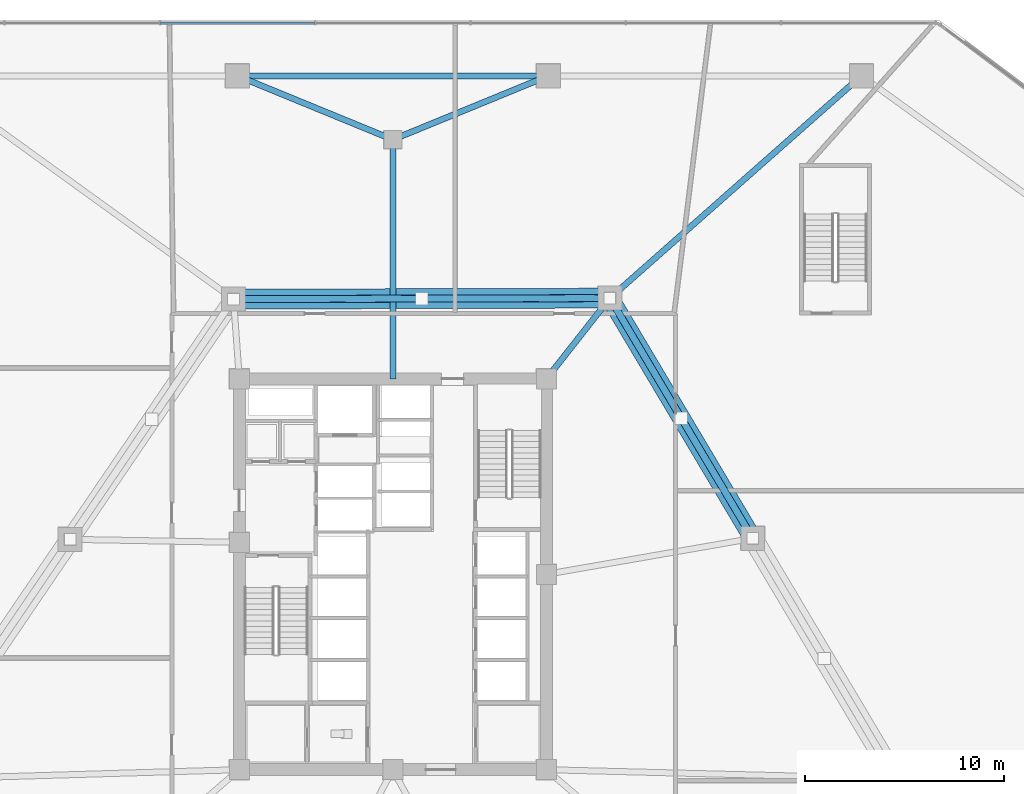
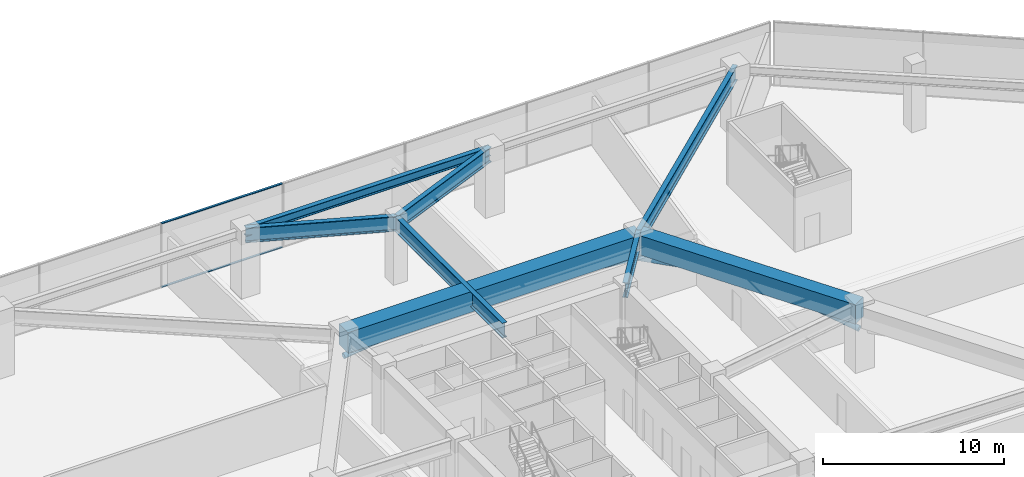
# One storey, part 9 of 23: 8 beams, 6 members, 1 element without a shape of its own.
"""IFC4 building model written with IfcOpenShell, lengths in metres."""

import ifcopenshell
import ifcopenshell.guid

model = None  # the IFC model being written
_history = None  # IfcOwnerHistory: only IFC2X3 demands one
_inside = {}  # id of a spatial element -> (the spatial element, [elements in it])
_under = {}  # id of a project, library or spatial element -> (it, [spatial elements below it])
_declared = {}  # id of a project -> (the project, [libraries it declares])
_typed = {}  # id of a type object -> (the type object, [elements of that type])
_made_of = {}  # id of a material, layer set ... -> (it, [elements and type objects made of it])


def new_model(schema):
    """Start an empty IFC model of exactly this schema.

    Asked for "IFC4X3", IfcOpenShell would pick the latest addendum, in which some entities
    have other attributes; the version numbers below select the first issue.
    IFC2X3 requires an IfcOwnerHistory on every rooted entity: one is made here for all.
    """
    global model, _history
    if schema == "IFC4X3":
        model = ifcopenshell.file(schema_version=(4, 3, 0, 0))
    else:
        model = ifcopenshell.file(schema=schema)
    _inside.clear()
    _under.clear()
    _declared.clear()
    _typed.clear()
    _made_of.clear()
    _history = None
    if model.schema == "IFC2X3":
        org = make("IfcOrganization", Name="unknown")
        user = make(
            "IfcPersonAndOrganization",
            ThePerson=make("IfcPerson", FamilyName="unknown"),
            TheOrganization=org,
        )
        app = make(
            "IfcApplication",
            ApplicationDeveloper=org,
            Version="unknown",
            ApplicationFullName="unknown",
            ApplicationIdentifier="unknown",
        )
        _history = make(
            "IfcOwnerHistory",
            OwningUser=user,
            OwningApplication=app,
            ChangeAction="ADDED",
            CreationDate=0,
        )
    return model


def make(cls, **values):
    """One entity of the class cls with the attributes given. An attribute that is None is left unset."""
    return model.create_entity(
        cls, **{name: value for name, value in values.items() if value is not None}
    )


def rooted(cls, **values):
    """An entity with a GlobalId (a new one), such as an element, a storey or a relation."""
    return make(cls, GlobalId=ifcopenshell.guid.new(), OwnerHistory=_history, **values)


def si_unit(unit_type, name, prefix=None):
    """IfcSIUnit, for example si_unit("LENGTHUNIT", "METRE", prefix="MILLI")."""
    return make("IfcSIUnit", UnitType=unit_type, Prefix=prefix, Name=name)


def assignment(units):
    """IfcUnitAssignment: the units of a project."""
    return None if units is None else make("IfcUnitAssignment", Units=units)


def point(xyz):
    """IfcCartesianPoint."""
    return None if xyz is None else make("IfcCartesianPoint", Coordinates=xyz)


def direction(xyz):
    """IfcDirection."""
    return None if xyz is None else make("IfcDirection", DirectionRatios=xyz)


def frame(location, z_axis=None, x_axis=None):
    """IfcAxis2Placement3D, a coordinate frame: its origin and axes. An axis left out is left unset."""
    return make(
        "IfcAxis2Placement3D",
        Location=point(location),
        Axis=direction(z_axis),
        RefDirection=direction(x_axis),
    )


def frame_2d(location, x_axis=None):
    """IfcAxis2Placement2D, a coordinate frame in the plane: its origin and x axis."""
    return make(
        "IfcAxis2Placement2D", Location=point(location), RefDirection=direction(x_axis)
    )


def origin():
    """The frame at (0, 0, 0) with its axes left unset."""
    return frame((0.0, 0.0, 0.0))


def origin_2d():
    """The frame at (0, 0) in the plane with its x axis left unset."""
    return frame_2d((0.0, 0.0))


def place(relative_to, where):
    """IfcLocalPlacement: puts the frame where relative to a parent placement (None: the world)."""
    return make(
        "IfcLocalPlacement", PlacementRelTo=relative_to, RelativePlacement=where
    )


def context(
    kind, dimensions, precision=None, world=None, true_north=None, identifier=None
):
    """IfcGeometricRepresentationContext, for example the 3D "Model" context."""
    return make(
        "IfcGeometricRepresentationContext",
        ContextIdentifier=identifier,
        ContextType=kind,
        CoordinateSpaceDimension=dimensions,
        Precision=precision,
        WorldCoordinateSystem=world,
        TrueNorth=true_north,
    )


def subcontext(parent, identifier, kind, view, scale=None):
    """IfcGeometricRepresentationSubContext, for example "Body" below "Model"."""
    return make(
        "IfcGeometricRepresentationSubContext",
        ContextIdentifier=identifier,
        ContextType=kind,
        ParentContext=parent,
        TargetScale=scale,
        TargetView=view,
    )


def project(units=None, contexts=None):
    """IfcProject with its units and contexts."""
    return rooted(
        "IfcProject",
        Name="project",
        RepresentationContexts=contexts,
        UnitsInContext=assignment(units),
    )


def spatial(cls, under=None, at=None, **own):
    """A site, building, storey or space (cls), placed at a placement, below another one or the project."""
    s = rooted(cls, ObjectPlacement=at, **own)
    if under is not None:
        _under.setdefault(under.id(), (under, []))[1].append(s)
    return s


def profile(cls, at=None, kind="AREA", **sizes):
    """A parametric profile (cls). Its sizes go by their IFC names, for example OverallWidth=200.0."""
    return make(cls, ProfileType=kind, Position=at, **sizes)


def rectangle(**sizes):
    """IfcRectangleProfileDef."""
    return profile("IfcRectangleProfileDef", **sizes)


def hollow_circle(**sizes):
    """IfcCircleHollowProfileDef."""
    return profile("IfcCircleHollowProfileDef", **sizes)


def i_section(**sizes):
    """IfcIShapeProfileDef."""
    return profile("IfcIShapeProfileDef", **sizes)


def extrude(swept, where, along, depth):
    """IfcExtrudedAreaSolid: the profile swept, set in the frame where, extruded along a direction by depth."""
    return make(
        "IfcExtrudedAreaSolid",
        SweptArea=swept,
        Position=where,
        ExtrudedDirection=direction(along),
        Depth=depth,
    )


def shape(context_of_items, identifier, shape_type, items):
    """IfcShapeRepresentation: the items that make up one representation, for example the "Body"."""
    return make(
        "IfcShapeRepresentation",
        ContextOfItems=context_of_items,
        RepresentationIdentifier=identifier,
        RepresentationType=shape_type,
        Items=items,
    )


def material(Name=None, Category=None):
    """IfcMaterial."""
    return make("IfcMaterial", Name=Name, Category=Category)


def material_profile(
    of_material, cross_section, Name=None, Category=None, Priority=None
):
    """IfcMaterialProfile: a cross section and its material."""
    return make(
        "IfcMaterialProfile",
        Name=Name,
        Material=of_material,
        Profile=cross_section,
        Priority=Priority,
        Category=Category,
    )


def profile_set(profiles, Name=None, composite=None):
    """IfcMaterialProfileSet."""
    return make(
        "IfcMaterialProfileSet",
        Name=Name,
        MaterialProfiles=profiles,
        CompositeProfile=composite,
    )


def made_of(thing, what):
    """Note that an element or type object is made of a material, layer set ...; save() writes the relation."""
    if what is not None:
        _made_of.setdefault(what.id(), (what, []))[1].append(thing)
    return thing


def type_object(cls, material=None, **own):
    """A type object (cls), such as IfcWallType, which elements share."""
    return made_of(rooted(cls, **own), material)


def element(
    cls,
    number,
    at=None,
    inside=None,
    cuts=None,
    type_object=None,
    material=None,
    context=None,
    identifier="Body",
    shape_type=None,
    held_by="IfcProductDefinitionShape",
    body=None,
    shapes=None,
    **own,
):
    """One element of the class cls, such as IfcWall. Its Tag is "e" and its number.

    at: its placement. inside: the storey or other place that contains it. cuts: it is an
    opening in that element (IfcRelVoidsElement). A single representation is given by context,
    identifier, shape_type and body (its items); several are given by shapes. held_by: the class
    of the entity that holds the representations. save() writes the other relations.
    """
    e = rooted(cls, Tag="e%d" % number, ObjectPlacement=at, **own)
    if body is not None:
        shapes = [shape(context, identifier, shape_type, body)]
    if shapes is not None:
        e.Representation = make(held_by, Representations=shapes)
    if inside is not None:
        _inside.setdefault(inside.id(), (inside, []))[1].append(e)
    if cuts is not None:
        rooted(
            "IfcRelVoidsElement", RelatingBuildingElement=cuts, RelatedOpeningElement=e
        )
    if type_object is not None:
        _typed.setdefault(type_object.id(), (type_object, []))[1].append(e)
    return made_of(e, material)


def aggregate(whole, parts):
    """IfcRelAggregates: a whole, such as a stair, and the parts it consists of."""
    return rooted("IfcRelAggregates", RelatingObject=whole, RelatedObjects=parts)


def save(model, path):
    """Write the relations noted so far, then the file.

    IfcRelAggregates (storeys below a building ...), IfcRelContainedInSpatialStructure (elements
    in a storey), IfcRelDefinesByType, IfcRelAssociatesMaterial and IfcRelDeclares: one each for
    every whole, place, type object, material and project.
    """
    for whole, parts in _under.values():
        aggregate(whole, parts)
    for where, things in _inside.values():
        rooted(
            "IfcRelContainedInSpatialStructure",
            RelatedElements=things,
            RelatingStructure=where,
        )
    for kind, things in _typed.values():
        rooted("IfcRelDefinesByType", RelatedObjects=things, RelatingType=kind)
    for what, things in _made_of.values():
        rooted("IfcRelAssociatesMaterial", RelatedObjects=things, RelatingMaterial=what)
    for by, libraries in _declared.values():
        rooted("IfcRelDeclares", RelatingContext=by, RelatedDefinitions=libraries)
    model.write(path)


model = new_model("IFC4")

# Units and contexts
model_context = context("Model", 3, precision=1e-05, world=origin(), true_north=direction((0.0, 1.0)))
body_context = subcontext(model_context, "Body", "Model", "MODEL_VIEW")
ifc_project = project(units=[si_unit("LENGTHUNIT", "METRE"), si_unit("AREAUNIT", "SQUARE_METRE"), si_unit("VOLUMEUNIT", "CUBIC_METRE"), si_unit("PLANEANGLEUNIT", "RADIAN"), si_unit("MASSUNIT", "GRAM", prefix="KILO")], contexts=[model_context])

# Site, building, storey
site_placement = place(None, origin())
site = spatial("IfcSite", under=ifc_project, at=site_placement, CompositionType="ELEMENT")
building_placement = place(site_placement, origin())
building = spatial("IfcBuilding", under=site, at=building_placement, Name="Savorim Split Tower", CompositionType="ELEMENT")
storey_placement = place(building_placement, frame((0.0, 0.0, 21.800048828125)))
storey = spatial("IfcBuildingStorey", under=building, at=storey_placement, Name="L05", CompositionType="ELEMENT", Elevation=21.800048828125)

# Beams
ifc_material_1 = material(Name="Steel S355", Category="steel")
ifc_material_profile_1 = material_profile(ifc_material_1, i_section(OverallWidth=0.300048828125, OverallDepth=0.590087890625, WebThickness=0.012939453125, FlangeThickness=0.02490234375, FilletRadius=0.027099609375, at=origin_2d()), Name="HEA 600")
ifc_profile_set_1 = profile_set([ifc_material_profile_1], Name="Steel S355")
beam_type_1 = type_object("IfcBeamType", Name="BM-SPN-HEA600", PredefinedType="SPANDREL", material=ifc_profile_set_1)
beam_1_placement = place(storey_placement, frame((7.800048828125, 25.39990234375, 4.054931640625), z_axis=(-1.0, 0.0, 0.0), x_axis=(0.0, -1.0, 0.0)))
element("IfcBeam", 1, at=beam_1_placement, inside=storey, type_object=beam_type_1, Name="L05 Podium Spandrel Beam 7", PredefinedType="SPANDREL", context=body_context, shape_type="SweptSolid", body=[
    extrude(i_section(OverallWidth=0.300048828125, OverallDepth=0.590087890625, WebThickness=0.012939453125, FlangeThickness=0.02490234375, FilletRadius=0.027099609375, at=origin_2d()), origin(), (0.0, 0.0, 1.0), 15.60009765625),
])
ifc_material_2 = material(Name="Steel S460", Category="steel")
ifc_material_profile_2 = material_profile(ifc_material_2, i_section(OverallWidth=0.302001953125, OverallDepth=1.008056640625, WebThickness=0.02099609375, FlangeThickness=0.0400390625, FilletRadius=0.030029296875, at=origin_2d()), Name="HE 1000 M")
ifc_profile_set_2 = profile_set([ifc_material_profile_2], Name="Steel S460")
beam_type_2 = type_object("IfcBeamType", Name="BM-TRF-HEM1000", PredefinedType="BEAM", material=ifc_profile_set_2)
beam_2_placement = place(storey_placement, frame((10.885498046875, 14.25048828125, 3.845947265625), z_axis=(-0.618179283891, -0.786037132054, 0.0), x_axis=(0.786037132054, -0.618179283891, 0.0)))
element("IfcBeam", 2, at=beam_2_placement, inside=storey, type_object=beam_type_2, Name="L05 Radial Transfer Girder PC-E3", PredefinedType="BEAM", context=body_context, shape_type="SweptSolid", body=[
    extrude(i_section(OverallWidth=0.302001953125, OverallDepth=1.008056640625, WebThickness=0.02099609375, FlangeThickness=0.0400390625, FilletRadius=0.030029296875, at=origin_2d()), origin(), (0.0, 0.0, 1.0), 5.153076171875),
])
beam_3_placement = place(storey_placement, frame((23.5, 25.39990234375, 3.845947265625), z_axis=(-0.749278545997, -0.66225498149, 0.0), x_axis=(0.66225498149, -0.749278545997, 0.0)))
element("IfcBeam", 3, at=beam_3_placement, inside=storey, type_object=beam_type_2, Name="L05 Podium Primary Girder BG-11", PredefinedType="BEAM", context=body_context, shape_type="SweptSolid", body=[
    extrude(i_section(OverallWidth=0.302001953125, OverallDepth=1.008056640625, WebThickness=0.02099609375, FlangeThickness=0.0400390625, FilletRadius=0.030029296875, at=origin_2d()), origin(), (0.0, 0.0, 1.0), 16.83544921875),
])
for number, where, z_axis, x_axis, name in (
    (4, (7.800048828125, 25.39990234375, 3.845947265625), (-0.925171486421, -0.379549365317, 0.0), (0.379549365317, -0.925171486421, 0.0), "L05 Podium Primary Girder BG-12"),
    (5, (-7.800048828125, 25.39990234375, 3.845947265625), (0.925171486421, -0.379549365317, 0.0), (0.379549365317, 0.925171486421, 0.0), "L05 Podium Primary Girder BG-13"),
):
    element("IfcBeam", number, at=place(storey_placement, frame(where, z_axis=z_axis, x_axis=x_axis)), inside=storey, type_object=beam_type_2, Name=name, PredefinedType="BEAM", context=body_context, shape_type="SweptSolid", body=[
        extrude(i_section(OverallWidth=0.302001953125, OverallDepth=1.008056640625, WebThickness=0.02099609375, FlangeThickness=0.0400390625, FilletRadius=0.030029296875, at=origin_2d()), origin(), (0.0, 0.0, 1.0), 8.430908203125),
    ])
beam_4_placement = place(storey_placement, frame((0.0, 22.199951171875, 3.845947265625), z_axis=(0.0, -1.0, 0.0), x_axis=(1.0, 0.0, 0.0)))
element("IfcBeam", 6, at=beam_4_placement, inside=storey, type_object=beam_type_2, Name="L05 Podium Primary Girder BG-14", PredefinedType="BEAM", context=body_context, shape_type="SweptSolid", body=[
    extrude(i_section(OverallWidth=0.302001953125, OverallDepth=1.008056640625, WebThickness=0.02099609375, FlangeThickness=0.0400390625, FilletRadius=0.030029296875, at=origin_2d()), origin(), (0.0, 0.0, 1.0), 12.0),
])
ifc_material_3 = material(Name="Concrete C60/75", Category="concrete")
ifc_material_profile_3 = material_profile(ifc_material_3, rectangle(XDim=0.89990234375, YDim=1.300048828125, at=origin_2d()), Name="RC 900x1300")
ifc_profile_set_3 = profile_set([ifc_material_profile_3], Name="Concrete C60/75")
beam_type_3 = type_object("IfcBeamType", Name="BM-TRF-RC1300", PredefinedType="BEAM", material=ifc_profile_set_3)
beam_5_placement = place(storey_placement, frame((18.049560546875, 2.202392578125, 3.699951171875), z_axis=(-0.511092781858, 0.859525548389, 0.0), x_axis=(-0.859525548389, -0.511092781858, 0.0)))
element("IfcBeam", 7, at=beam_5_placement, inside=storey, type_object=beam_type_3, Name="L05 Transfer Belt Girder PC-E2-PC-E3", PredefinedType="BEAM", context=body_context, shape_type="SweptSolid", body=[
    extrude(rectangle(XDim=0.89990234375, YDim=1.300048828125, at=origin_2d()), origin(), (0.0, 0.0, 1.0), 14.01708984375),
])
ifc_material_profile_4 = material_profile(ifc_material_3, rectangle(XDim=1.0, YDim=1.39990234375, at=origin_2d()), Name="RC 1000x1400")
ifc_profile_set_4 = profile_set([ifc_material_profile_4], Name="Concrete C60/75")
beam_type_4 = type_object("IfcBeamType", Name="BM-TRF-RC1400", PredefinedType="BEAM", material=ifc_profile_set_4)
beam_6_placement = place(storey_placement, frame((10.885498046875, 14.25048828125, 3.64990234375), z_axis=(-0.999996654976, -0.002586510411, 0.0), x_axis=(0.002586510411, -0.999996654976, 0.0)))
element("IfcBeam", 8, at=beam_6_placement, inside=storey, type_object=beam_type_4, Name="L05 Transfer Belt Girder PC-E3-PC-W1", PredefinedType="BEAM", context=body_context, shape_type="SweptSolid", body=[
    extrude(rectangle(XDim=1.0, YDim=1.39990234375, at=origin_2d()), origin(), (0.0, 0.0, 1.0), 18.8779296875),
])

# Curtain wall, members
ifc_material_4 = material(Name="Dark Ceramic-Fritted Insulated Glass", Category="glass")
curtain_wall_type = type_object("IfcCurtainWallType", Name="CW-REFUGE-LVR", PredefinedType="NOTDEFINED", material=ifc_material_4)
curtain_wall_placement = place(storey_placement, origin())
curtain_wall = element("IfcCurtainWall", 9, at=curtain_wall_placement, inside=storey, type_object=curtain_wall_type, Name="L05 Curtain Wall CW-L05-E08", PredefinedType="NOTDEFINED")
ifc_material_5 = material(Name="Charcoal Anodised Aluminium", Category="aluminium")
ifc_material_profile_5 = material_profile(ifc_material_5, rectangle(XDim=0.139892578125, YDim=0.054931640625, at=origin_2d()), Name="ALU-T 140x55")
ifc_profile_set_5 = profile_set([ifc_material_profile_5], Name="Charcoal Anodised Aluminium")
member_type_1 = type_object("IfcMemberType", Name="CWT-140x55", PredefinedType="USERDEFINED", material=ifc_profile_set_5)
member_1_placement = place(storey_placement, frame((-3.9267578125, 28.0400390625, 0.02734375), z_axis=(-1.0, 0.0, 0.0), x_axis=(0.0, -1.0, 0.0)))
member_1 = element("IfcMember", 10, at=member_1_placement, type_object=member_type_1, Name="CW-06 transom 5.1", ObjectType="TRANSOM", PredefinedType="USERDEFINED", context=body_context, shape_type="SweptSolid", body=[
    extrude(rectangle(XDim=0.139892578125, YDim=0.054931640625, at=origin_2d()), origin(), (0.0, 0.0, 1.0), 7.7236328125),
])
member_2_placement = place(storey_placement, frame((-3.9267578125, 28.0400390625, 4.322509765625), z_axis=(-1.0, 0.0, 0.0), x_axis=(0.0, -1.0, 0.0)))
member_2 = element("IfcMember", 11, at=member_2_placement, type_object=member_type_1, Name="CW-06 transom 5.2", ObjectType="TRANSOM", PredefinedType="USERDEFINED", context=body_context, shape_type="SweptSolid", body=[
    extrude(rectangle(XDim=0.139892578125, YDim=0.054931640625, at=origin_2d()), origin(), (0.0, 0.0, 1.0), 7.7236328125),
])
aggregate(curtain_wall, [member_1, member_2])

# Members
ifc_material_profile_6 = material_profile(ifc_material_2, hollow_circle(Radius=0.177734375, WallThickness=0.02001953125, at=origin_2d()), Name="CHS 355.6x20")
ifc_profile_set_6 = profile_set([ifc_material_profile_6], Name="Steel S460")
member_type_2 = type_object("IfcMemberType", Name="MBR-BLT-CHS355", PredefinedType="BRACE", material=ifc_profile_set_6)
for number, where, z_axis, x_axis, name in (
    (12, (18.049560546875, 2.202392578125, 2.47998046875), (-0.503874473183, 0.847403395978, 0.167385781236), (-0.859530097957, -0.511085130586, 0.0), "L05 Transfer Belt Truss Brace 6A"),
    (13, (10.885498046875, 14.25048828125, 2.47998046875), (0.503889137294, -0.847393714122, 0.167390652615), (0.859520998616, 0.511100433318, 0.0), "L05 Transfer Belt Truss Brace 6B"),
):
    element("IfcMember", number, at=place(storey_placement, frame(where, z_axis=z_axis, x_axis=x_axis)), inside=storey, type_object=member_type_2, Name=name, PredefinedType="BRACE", context=body_context, shape_type="SweptSolid", body=[
        extrude(hollow_circle(Radius=0.177734375, WallThickness=0.02001953125, at=origin_2d()), origin(), (0.0, 0.0, 1.0), 7.10888671875),
    ])
for number, where, z_axis, x_axis, name in (
    (14, (10.885498046875, 14.25048828125, 2.47998046875), (-0.992143778114, -0.002566198795, 0.125076529267), (0.002586510411, -0.999996654976, 0.0), "L05 Transfer Belt Truss Brace 7A"),
    (15, (-7.992431640625, 14.20166015625, 2.47998046875), (0.992143778114, 0.002566198795, 0.125076529267), (-0.002586510411, 0.999996654976, 0.0), "L05 Transfer Belt Truss Brace 7B"),
):
    element("IfcMember", number, at=place(storey_placement, frame(where, z_axis=z_axis, x_axis=x_axis)), inside=storey, type_object=member_type_2, Name=name, PredefinedType="BRACE", context=body_context, shape_type="SweptSolid", body=[
        extrude(hollow_circle(Radius=0.177734375, WallThickness=0.02001953125, at=origin_2d()), origin(), (0.0, 0.0, 1.0), 9.513671875),
    ])

save(model, "model.ifc")
